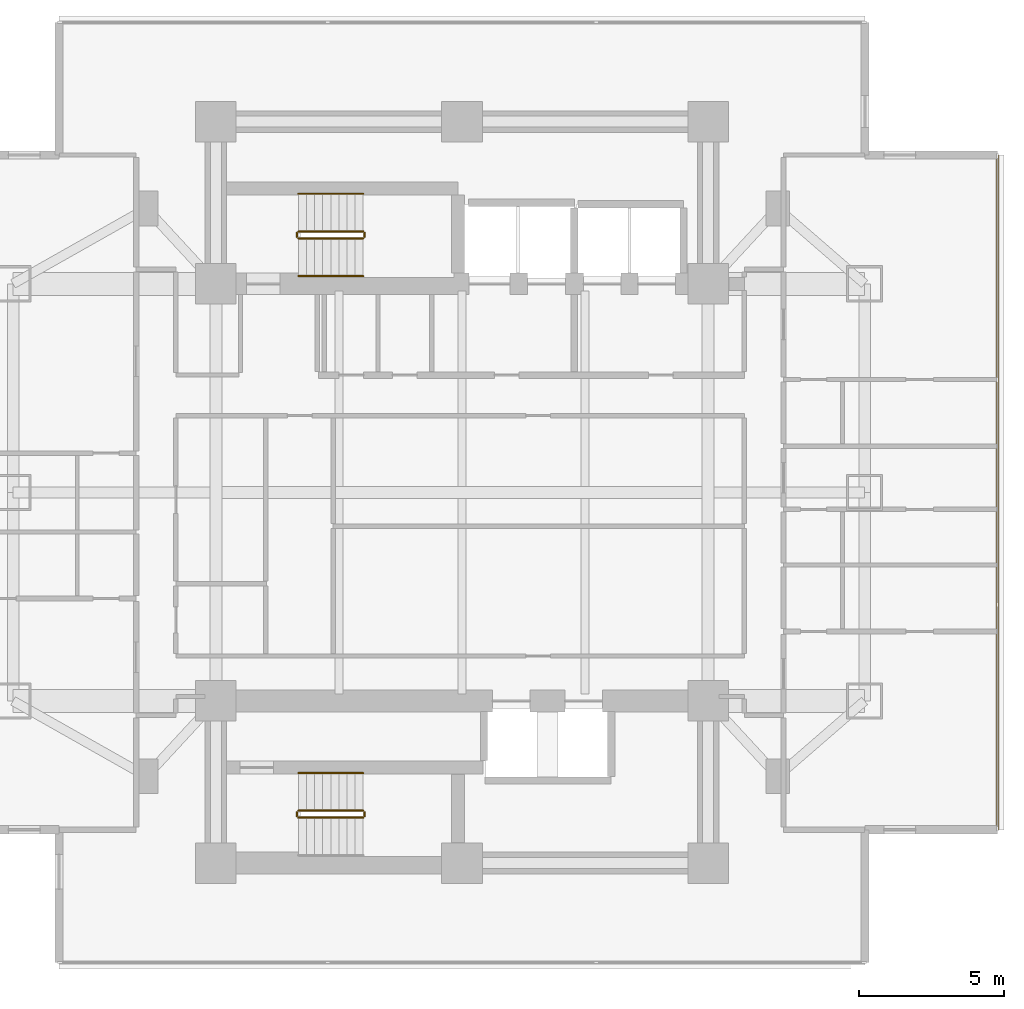
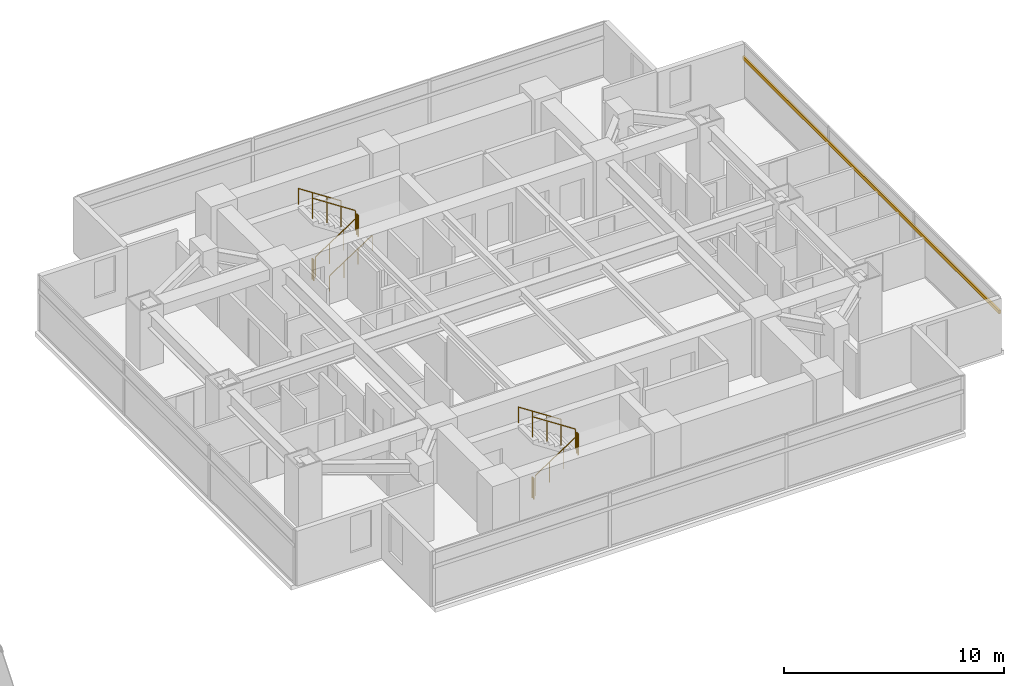
# One storey, part 24 of 25: 11 railings, 1 shading device.
"""IFC4 building model written with IfcOpenShell, lengths in metres."""

from ifc_helpers import new_model, si_unit, direction, frame, origin, origin_2d, place, context, subcontext, project, spatial, rectangle, circle, extrude, material, material_profile, profile_set, type_object, element, save


model = new_model("IFC4")

# Units and contexts
model_context = context("Model", 3, precision=1e-05, world=origin(), true_north=direction((0.0, 1.0)))
body_context = subcontext(model_context, "Body", "Model", "MODEL_VIEW")
ifc_project = project(units=[si_unit("LENGTHUNIT", "METRE"), si_unit("AREAUNIT", "SQUARE_METRE"), si_unit("VOLUMEUNIT", "CUBIC_METRE"), si_unit("PLANEANGLEUNIT", "RADIAN"), si_unit("MASSUNIT", "GRAM", prefix="KILO")], contexts=[model_context])

# Site, building, storey
site_placement = place(None, origin())
site = spatial("IfcSite", under=ifc_project, at=site_placement, CompositionType="ELEMENT")
building_placement = place(site_placement, origin())
building = spatial("IfcBuilding", under=site, at=building_placement, Name="Mirazonda Arch Towers", CompositionType="ELEMENT")
storey_placement = place(building_placement, frame((0.0, 0.0, 32.300048828125)))
storey = spatial("IfcBuildingStorey", under=building, at=storey_placement, Name="L08", CompositionType="ELEMENT", Elevation=32.300048828125)

# Shading device
ifc_material_1 = material(Name="Kiln-Fired Architectural Terracotta", Category="masonry")
ifc_material_profile = material_profile(ifc_material_1, rectangle(XDim=0.10009765625, YDim=0.199951171875, at=origin_2d()), Name="TERRA-BAG-100x200")
ifc_profile_set = profile_set([ifc_material_profile], Name="Kiln-Fired Architectural Terracotta")
shading_device_type = type_object("IfcShadingDeviceType", Name="BAGUETTE-2", PredefinedType="USERDEFINED", material=ifc_profile_set)
shading_device_placement = place(storey_placement, frame((94.993896484375, 16.35009765625, 2.188720703125), z_axis=(0.0, 1.0, 0.0), x_axis=(-1.0, 0.0, 0.0)))
element("IfcShadingDevice", 1, at=shading_device_placement, inside=storey, type_object=shading_device_type, Name="L08 Glazed Terracotta Sun-Screen Baguette CW-L08-T2-E", ObjectType="BAGUETTE", PredefinedType="USERDEFINED", context=body_context, shape_type="SweptSolid", body=[
    extrude(rectangle(XDim=0.10009765625, YDim=0.199951171875, at=origin_2d()), origin(), (0.0, 0.0, 1.0), 23.2998046875),
])

# Railings
ifc_material_2 = material(Name="Architectural Brushed Steel S355", Category="steel")
railing_type_1 = type_object("IfcRailingType", Name="GUARD-STAIR-1120", PredefinedType="GUARDRAIL", material=ifc_material_2)
railing_1_placement = place(storey_placement, frame((70.85009765625, 36.77001953125, 0.183349609375)))
element("IfcRailing", 2, at=railing_1_placement, inside=storey, type_object=railing_type_1, Name="L08 ST-T2N stair guard 1", PredefinedType="GUARDRAIL", context=body_context, shape_type="SweptSolid", body=[
    extrude(circle(Radius=0.02392578125, at=origin_2d()), frame((0.0, 0.0, 1.1259765625), z_axis=(0.836636935527, 0.0, 0.547757827979), x_axis=(0.0, 1.0, 0.0)), (0.0, 0.0, 1.0), 2.677490234375),
    extrude(circle(Radius=0.02099609375, at=origin_2d()), origin(), (0.0, 0.0, 1.0), 1.101806640625),
    extrude(circle(Radius=0.02099609375, at=origin_2d()), frame((0.74658203125, 0.0, 0.48876953125)), (0.0, 0.0, 1.0), 1.101806640625),
    extrude(circle(Radius=0.02099609375, at=origin_2d()), frame((1.493408203125, 0.0, 0.977783203125)), (0.0, 0.0, 1.0), 1.101806640625),
    extrude(circle(Radius=0.02099609375, at=origin_2d()), frame((2.239990234375, 0.0, 1.466552734375)), (0.0, 0.0, 1.0), 1.101806640625),
])
railing_2_placement = place(storey_placement, frame((73.139892578125, 36.820068359375, 1.64990234375)))
element("IfcRailing", 3, at=railing_2_placement, inside=storey, type_object=railing_type_1, Name="L08 ST-T2N stair guard 2", PredefinedType="GUARDRAIL", context=body_context, shape_type="SweptSolid", body=[
    extrude(circle(Radius=0.02392578125, at=origin_2d()), frame((0.0, 0.0, 1.1259765625), z_axis=(0.0, 1.0, 0.0), x_axis=(-1.0, 0.0, 0.0)), (0.0, 0.0, 1.0), 0.139892578125),
    extrude(circle(Radius=0.02099609375, at=origin_2d()), origin(), (0.0, 0.0, 1.0), 1.101806640625),
    extrude(circle(Radius=0.02099609375, at=origin_2d()), frame((0.0, 0.139892578125, 0.0)), (0.0, 0.0, 1.0), 1.101806640625),
])
railing_3_placement = place(storey_placement, frame((73.090087890625, 37.010009765625, 1.833251953125)))
element("IfcRailing", 4, at=railing_3_placement, inside=storey, type_object=railing_type_1, Name="L08 ST-T2N stair guard 3", PredefinedType="GUARDRAIL", context=body_context, shape_type="SweptSolid", body=[
    extrude(circle(Radius=0.02392578125, at=origin_2d()), frame((0.0, 0.0, 1.1259765625), z_axis=(-0.836595146698, 0.0, 0.547821650285), x_axis=(0.0, -1.0, 0.0)), (0.0, 0.0, 1.0), 2.677490234375),
    extrude(circle(Radius=0.02099609375, at=origin_2d()), origin(), (0.0, 0.0, 1.0), 1.101806640625),
    extrude(circle(Radius=0.02099609375, at=origin_2d()), frame((-0.74658203125, 0.0, 0.489013671875)), (0.0, 0.0, 1.0), 1.101806640625),
    extrude(circle(Radius=0.02099609375, at=origin_2d()), frame((-1.493408203125, 0.0, 0.977783203125)), (0.0, 0.0, 1.0), 1.101806640625),
    extrude(circle(Radius=0.02099609375, at=origin_2d()), frame((-2.239990234375, 0.0, 1.466796875)), (0.0, 0.0, 1.0), 1.101806640625),
])
railing_4_placement = place(storey_placement, frame((70.800048828125, 36.820068359375, 0.0)))
element("IfcRailing", 5, at=railing_4_placement, inside=storey, type_object=railing_type_1, Name="L08 ST-T2N stair guard 4", PredefinedType="GUARDRAIL", context=body_context, shape_type="SweptSolid", body=[
    extrude(circle(Radius=0.02392578125, at=origin_2d()), frame((0.0, 0.0, 1.1259765625), z_axis=(0.0, 1.0, 0.0), x_axis=(-1.0, 0.0, 0.0)), (0.0, 0.0, 1.0), 0.139892578125),
    extrude(circle(Radius=0.02099609375, at=origin_2d()), origin(), (0.0, 0.0, 1.0), 1.101806640625),
    extrude(circle(Radius=0.02099609375, at=origin_2d()), frame((0.0, 0.139892578125, 0.0)), (0.0, 0.0, 1.0), 1.101806640625),
])
railing_5_placement = place(storey_placement, frame((70.85009765625, 16.77001953125, 0.183349609375)))
element("IfcRailing", 6, at=railing_5_placement, inside=storey, type_object=railing_type_1, Name="L08 ST-T2S stair guard 1", PredefinedType="GUARDRAIL", context=body_context, shape_type="SweptSolid", body=[
    extrude(circle(Radius=0.02392578125, at=origin_2d()), frame((0.0, 0.0, 1.1259765625), z_axis=(0.836636935527, 0.0, 0.547757827979), x_axis=(0.0, 1.0, 0.0)), (0.0, 0.0, 1.0), 2.677490234375),
    extrude(circle(Radius=0.02099609375, at=origin_2d()), origin(), (0.0, 0.0, 1.0), 1.101806640625),
    extrude(circle(Radius=0.02099609375, at=origin_2d()), frame((0.74658203125, 0.0, 0.48876953125)), (0.0, 0.0, 1.0), 1.101806640625),
    extrude(circle(Radius=0.02099609375, at=origin_2d()), frame((1.493408203125, 0.0, 0.977783203125)), (0.0, 0.0, 1.0), 1.101806640625),
    extrude(circle(Radius=0.02099609375, at=origin_2d()), frame((2.239990234375, 0.0, 1.466552734375)), (0.0, 0.0, 1.0), 1.101806640625),
])
railing_6_placement = place(storey_placement, frame((73.139892578125, 16.820068359375, 1.64990234375)))
element("IfcRailing", 7, at=railing_6_placement, inside=storey, type_object=railing_type_1, Name="L08 ST-T2S stair guard 2", PredefinedType="GUARDRAIL", context=body_context, shape_type="SweptSolid", body=[
    extrude(circle(Radius=0.02392578125, at=origin_2d()), frame((0.0, 0.0, 1.1259765625), z_axis=(0.0, 1.0, 0.0), x_axis=(-1.0, 0.0, 0.0)), (0.0, 0.0, 1.0), 0.139892578125),
    extrude(circle(Radius=0.02099609375, at=origin_2d()), origin(), (0.0, 0.0, 1.0), 1.101806640625),
    extrude(circle(Radius=0.02099609375, at=origin_2d()), frame((0.0, 0.139892578125, 0.0)), (0.0, 0.0, 1.0), 1.101806640625),
])
railing_7_placement = place(storey_placement, frame((73.090087890625, 17.010009765625, 1.833251953125)))
element("IfcRailing", 8, at=railing_7_placement, inside=storey, type_object=railing_type_1, Name="L08 ST-T2S stair guard 3", PredefinedType="GUARDRAIL", context=body_context, shape_type="SweptSolid", body=[
    extrude(circle(Radius=0.02392578125, at=origin_2d()), frame((0.0, 0.0, 1.1259765625), z_axis=(-0.836595146698, 0.0, 0.547821650285), x_axis=(0.0, -1.0, 0.0)), (0.0, 0.0, 1.0), 2.677490234375),
    extrude(circle(Radius=0.02099609375, at=origin_2d()), origin(), (0.0, 0.0, 1.0), 1.101806640625),
    extrude(circle(Radius=0.02099609375, at=origin_2d()), frame((-0.74658203125, 0.0, 0.489013671875)), (0.0, 0.0, 1.0), 1.101806640625),
    extrude(circle(Radius=0.02099609375, at=origin_2d()), frame((-1.493408203125, 0.0, 0.977783203125)), (0.0, 0.0, 1.0), 1.101806640625),
    extrude(circle(Radius=0.02099609375, at=origin_2d()), frame((-2.239990234375, 0.0, 1.466796875)), (0.0, 0.0, 1.0), 1.101806640625),
])
railing_8_placement = place(storey_placement, frame((70.800048828125, 16.820068359375, 0.0)))
element("IfcRailing", 9, at=railing_8_placement, inside=storey, type_object=railing_type_1, Name="L08 ST-T2S stair guard 4", PredefinedType="GUARDRAIL", context=body_context, shape_type="SweptSolid", body=[
    extrude(circle(Radius=0.02392578125, at=origin_2d()), frame((0.0, 0.0, 1.1259765625), z_axis=(0.0, 1.0, 0.0), x_axis=(-1.0, 0.0, 0.0)), (0.0, 0.0, 1.0), 0.139892578125),
    extrude(circle(Radius=0.02099609375, at=origin_2d()), origin(), (0.0, 0.0, 1.0), 1.101806640625),
    extrude(circle(Radius=0.02099609375, at=origin_2d()), frame((0.0, 0.139892578125, 0.0)), (0.0, 0.0, 1.0), 1.101806640625),
])
railing_type_2 = type_object("IfcRailingType", Name="HANDRAIL-915", PredefinedType="HANDRAIL", material=ifc_material_2)
railing_9_placement = place(storey_placement, frame((70.85009765625, 35.469970703125, 0.183349609375)))
element("IfcRailing", 10, at=railing_9_placement, inside=storey, type_object=railing_type_2, Name="L08 ST-T2N stair handrail 1", PredefinedType="HANDRAIL", context=body_context, shape_type="SweptSolid", body=[
    extrude(circle(Radius=0.02392578125, at=origin_2d()), frame((0.0, 0.0, 0.8759765625), z_axis=(0.836636935527, 0.0, 0.547757827979), x_axis=(0.0, 1.0, 0.0)), (0.0, 0.0, 1.0), 2.677490234375),
    extrude(circle(Radius=0.02099609375, at=origin_2d()), origin(), (0.0, 0.0, 1.0), 0.851806640625),
    extrude(circle(Radius=0.02099609375, at=origin_2d()), frame((0.74658203125, 0.0, 0.48876953125)), (0.0, 0.0, 1.0), 0.851806640625),
    extrude(circle(Radius=0.02099609375, at=origin_2d()), frame((1.493408203125, 0.0, 0.977783203125)), (0.0, 0.0, 1.0), 0.851806640625),
    extrude(circle(Radius=0.02099609375, at=origin_2d()), frame((2.239990234375, 0.0, 1.466552734375)), (0.0, 0.0, 1.0), 0.851806640625),
])
for number, where, name in (
    (11, (73.090087890625, 38.31005859375, 1.833251953125), "L08 ST-T2N stair handrail 2"),
    (12, (73.090087890625, 18.31005859375, 1.833251953125), "L08 ST-T2S stair handrail 2"),
):
    element("IfcRailing", number, at=place(storey_placement, frame(where)), inside=storey, type_object=railing_type_2, Name=name, PredefinedType="HANDRAIL", context=body_context, shape_type="SweptSolid", body=[
        extrude(circle(Radius=0.02392578125, at=origin_2d()), frame((0.0, 0.0, 0.8759765625), z_axis=(-0.836595146698, 0.0, 0.547821650285), x_axis=(0.0, -1.0, 0.0)), (0.0, 0.0, 1.0), 2.677490234375),
        extrude(circle(Radius=0.02099609375, at=origin_2d()), origin(), (0.0, 0.0, 1.0), 0.851806640625),
        extrude(circle(Radius=0.02099609375, at=origin_2d()), frame((-0.74658203125, 0.0, 0.489013671875)), (0.0, 0.0, 1.0), 0.851806640625),
        extrude(circle(Radius=0.02099609375, at=origin_2d()), frame((-1.493408203125, 0.0, 0.977783203125)), (0.0, 0.0, 1.0), 0.851806640625),
        extrude(circle(Radius=0.02099609375, at=origin_2d()), frame((-2.239990234375, 0.0, 1.466796875)), (0.0, 0.0, 1.0), 0.851806640625),
    ])

save(model, "model.ifc")
